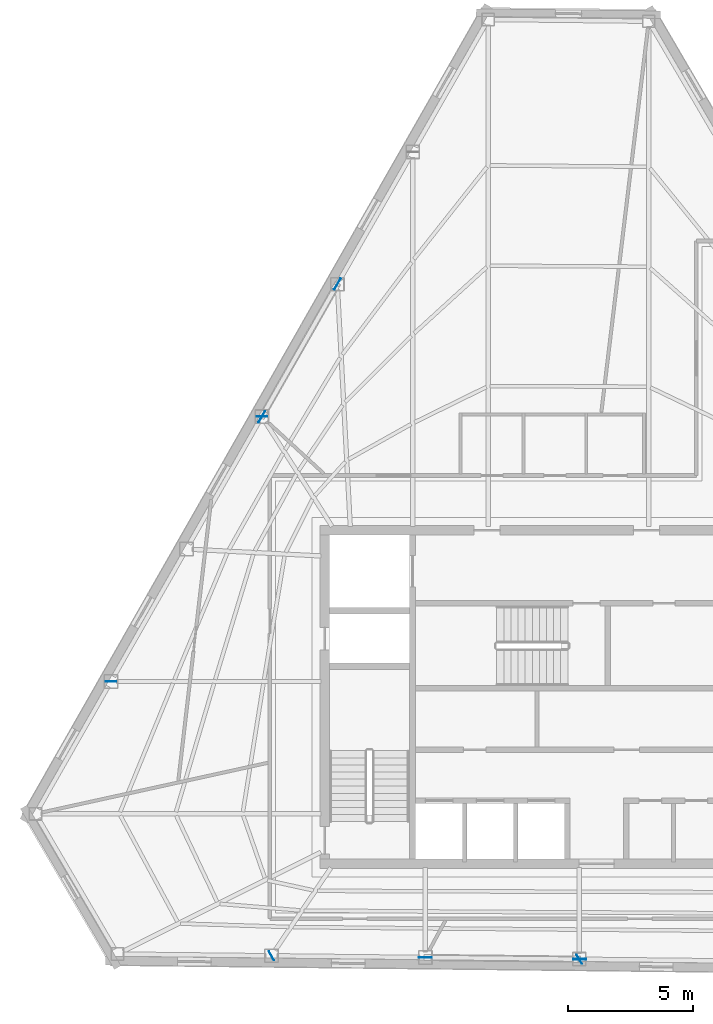
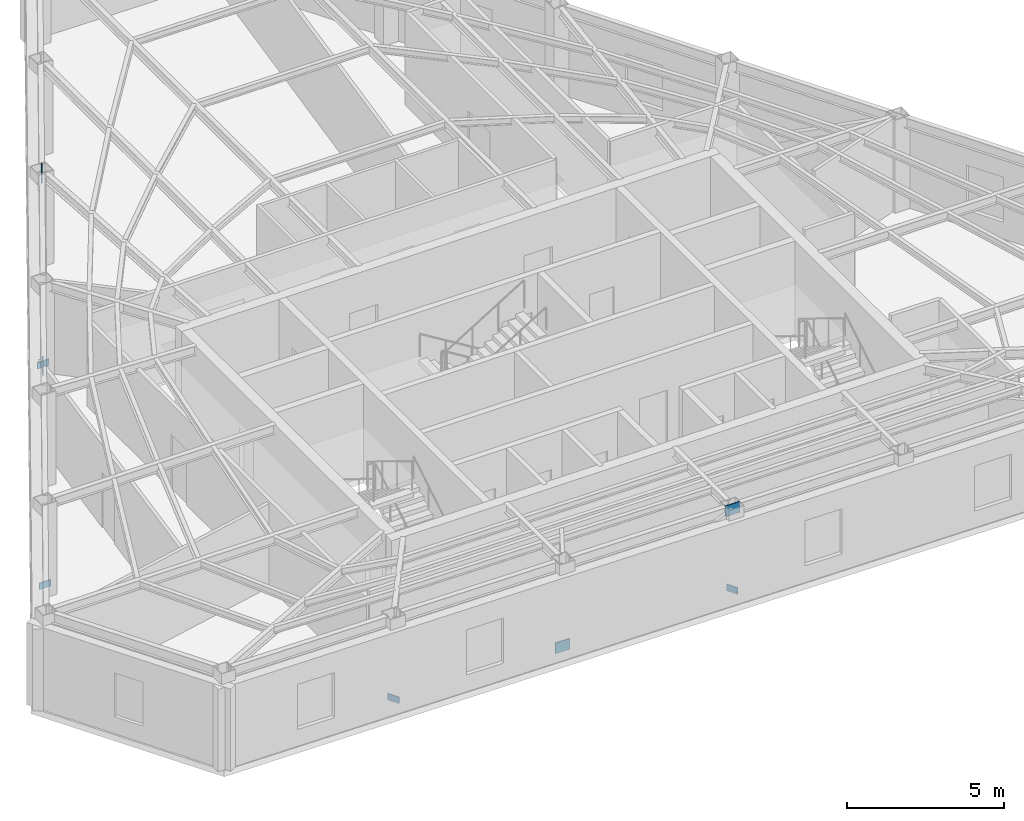
# One storey, part 4 of 10: 8 plates.
"""IFC4 building model written with IfcOpenShell, lengths in metres."""

from ifc_helpers import new_model, si_unit, direction, frame, origin, origin_2d, place, context, subcontext, project, spatial, rectangle, extrude, material, layer, layer_set, type_object, element, save


model = new_model("IFC4")

# Units and contexts
model_context = context("Model", 3, precision=1e-05, world=origin(), true_north=direction((0.0, 1.0)))
body_context = subcontext(model_context, "Body", "Model", "MODEL_VIEW")
ifc_project = project(units=[si_unit("LENGTHUNIT", "METRE"), si_unit("AREAUNIT", "SQUARE_METRE"), si_unit("VOLUMEUNIT", "CUBIC_METRE"), si_unit("PLANEANGLEUNIT", "RADIAN"), si_unit("MASSUNIT", "GRAM", prefix="KILO")], contexts=[model_context])

# Site, building, storey
site_placement = place(None, origin())
site = spatial("IfcSite", under=ifc_project, at=site_placement, CompositionType="ELEMENT")
building_placement = place(site_placement, origin())
building = spatial("IfcBuilding", under=site, at=building_placement, Name="Kavelnor Concourse Tower", CompositionType="ELEMENT")
storey_placement = place(building_placement, frame((0.0, 0.0, 251.050048828125)))
storey = spatial("IfcBuildingStorey", under=building, at=storey_placement, Name="L63", CompositionType="ELEMENT", Elevation=251.050048828125)

# Plates
ifc_material = material(Name="Steel Grade 350", Category="steel")
ifc_layer_1 = layer(ifc_material, 0.031982421875, Name="Steel Grade 350")
ifc_layer_set_1 = layer_set([ifc_layer_1], Name="Steel Grade 350")
plate_type_1 = type_object("IfcPlateType", Name="PL-GUSSET-TUBE-Z1", PredefinedType="USERDEFINED", material=ifc_layer_set_1)
for number, where, z_axis, x_axis, name in (
    (1, (25.760009765625, 27.341796875, 0.010009765625), (0.0, 0.0, 1.0), (0.495155428655, 0.868804409216, 0.0), "L63 Tube Brace Gusset GP3 F0-B2 End Gusset A"),
    (2, (28.798828125, 32.674560546875, 3.197021484375), (0.0, 0.0, 1.0), (0.495155428655, 0.868804409216, 0.0), "L63 Tube Brace Gusset GP3 F0-B2 End Gusset B"),
    (3, (32.312744140625, 5.653564453125, 0.010009765625), (0.0, 0.0, 1.0), (0.999937615001, -0.011169874929, 0.0), "L63 Tube Brace Gusset GP3 F1-B2 End Gusset A"),
    (4, (38.51220703125, 5.584228515625, 3.197021484375), (0.0, 0.0, 1.0), (0.999937615001, -0.011169874929, 0.0), "L63 Tube Brace Gusset GP3 F1-B2 End Gusset B"),
):
    element("IfcPlate", number, at=place(storey_placement, frame(where, z_axis=z_axis, x_axis=x_axis)), inside=storey, type_object=plate_type_1, Name=name, ObjectType="GUSSET_PLATE", PredefinedType="USERDEFINED", context=body_context, shape_type="SweptSolid", body=[
        extrude(rectangle(XDim=0.52001953125, YDim=0.031982421875, at=origin_2d()), origin(), (0.0, 0.0, 1.0), 0.419921875),
    ])
ifc_layer_2 = layer(ifc_material, 0.02490234375, Name="Steel Grade 350")
ifc_layer_set_2 = layer_set([ifc_layer_2], Name="Steel Grade 350")
plate_type_2 = type_object("IfcPlateType", Name="PL-SPLICE-FLANGE", PredefinedType="SHEET", material=ifc_layer_set_2)
for number, where, z_axis, x_axis, name in (
    (5, (25.765869140625, 27.352294921875, 0.169921875), (0.0, 0.0, 1.0), (1.0, 0.0, 0.0), "L63 Column Flange Splice Plate F0-B3"),
    (6, (19.7119140625, 16.728271484375, 0.169921875), (0.0, 0.0, 1.0), (1.0, 0.0, 0.0), "L63 Column Flange Splice Plate F0-B5"),
    (7, (26.1494140625, 5.72265625, 0.169921875), (0.0, 0.0, 1.0), (-0.5, 0.866025403784, 0.0), "L63 Column Flange Splice Plate F1-B1"),
    (8, (38.500244140625, 5.58447265625, 0.169921875), (0.0, 0.0, 1.0), (-0.5, 0.866025403784, 0.0), "L63 Column Flange Splice Plate F1-B3"),
):
    element("IfcPlate", number, at=place(storey_placement, frame(where, z_axis=z_axis, x_axis=x_axis)), inside=storey, type_object=plate_type_2, Name=name, PredefinedType="SHEET", context=body_context, shape_type="SweptSolid", body=[
        extrude(rectangle(XDim=0.419921875, YDim=0.02490234375, at=origin_2d()), origin(), (0.0, 0.0, 1.0), 0.260009765625),
    ])

save(model, "model.ifc")
